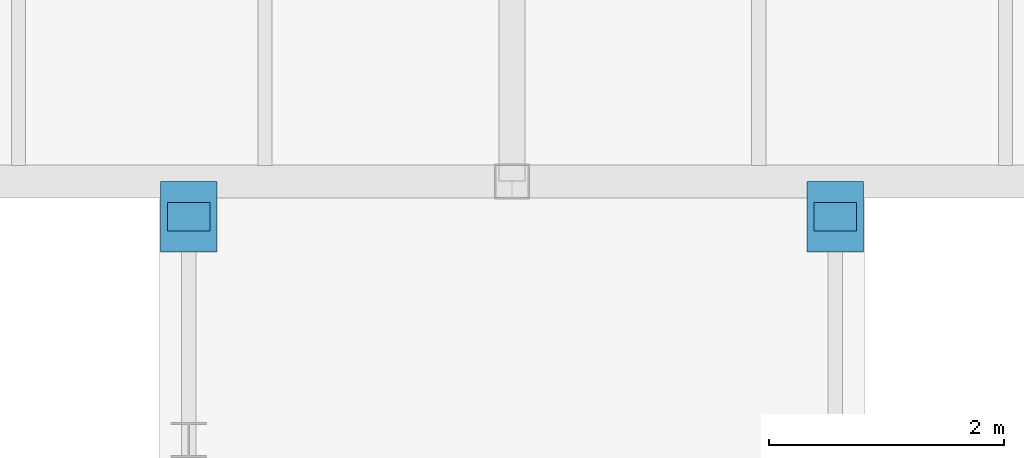
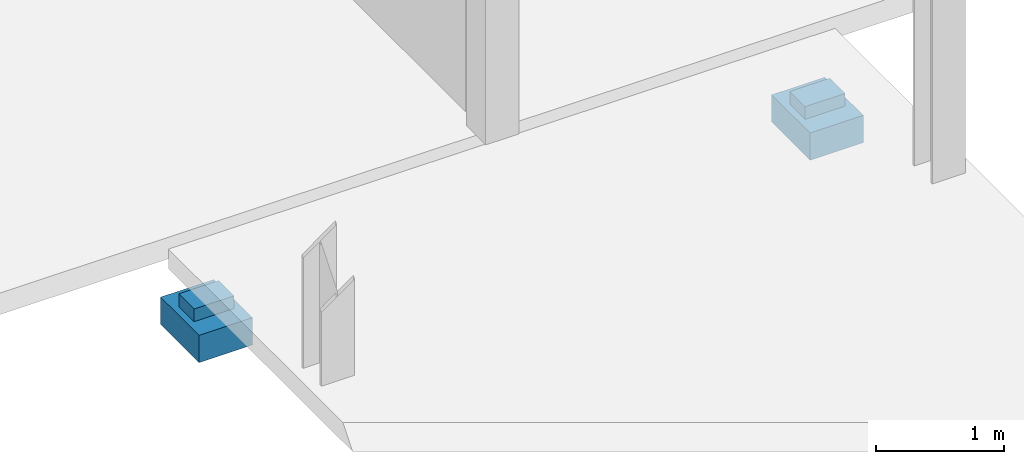
# One storey, part 149 of 165: 4 discrete accessories.
"""IFC4 building model written with IfcOpenShell, lengths in metres."""

from ifc_helpers import new_model, si_unit, direction, frame, origin, origin_2d, place, context, subcontext, project, spatial, rectangle, extrude, material, type_object, element, save


model = new_model("IFC4")

# Units and contexts
model_context = context("Model", 3, precision=1e-05, world=origin(), true_north=direction((0.0, 1.0)))
body_context = subcontext(model_context, "Body", "Model", "MODEL_VIEW")
ifc_project = project(units=[si_unit("LENGTHUNIT", "METRE"), si_unit("AREAUNIT", "SQUARE_METRE"), si_unit("VOLUMEUNIT", "CUBIC_METRE"), si_unit("PLANEANGLEUNIT", "RADIAN"), si_unit("MASSUNIT", "GRAM", prefix="KILO")], contexts=[model_context])

# Site, building, storey
site_placement = place(None, origin())
site = spatial("IfcSite", under=ifc_project, at=site_placement, CompositionType="ELEMENT")
building_placement = place(site_placement, origin())
building = spatial("IfcBuilding", under=site, at=building_placement, Name="Montecoro Central Library", CompositionType="ELEMENT")
storey_placement = place(building_placement, frame((0.0, 0.0, 5.10009765625)))
storey = spatial("IfcBuildingStorey", under=building, at=storey_placement, Name="L01", CompositionType="ELEMENT", Elevation=5.10009765625)

# Discrete accessories
ifc_material_1 = material(Name="Steel S355 and PTFE elastomer", Category="steel")
discrete_accessory_type_1 = type_object("IfcDiscreteAccessoryType", Name="BRG-SLIDE-02", PredefinedType="USERDEFINED", material=ifc_material_1)
for number, where, z_axis, x_axis, name in (
    (1, (88.85009765625, 80.699951171875, -0.545166015625), (0.0, 0.0, 1.0), (1.0, 0.0, 0.0), "BR-N-L01-BRG-WB"),
    (2, (94.35009765625, 80.699951171875, -0.545166015625), (0.0, 0.0, 1.0), (1.0, 0.0, 0.0), "BR-N-L01-BRG-EB"),
):
    element("IfcDiscreteAccessory", number, at=place(storey_placement, frame(where, z_axis=z_axis, x_axis=x_axis)), inside=storey, type_object=discrete_accessory_type_1, Name=name, ObjectType="FREE SLIDING BEARING", PredefinedType="USERDEFINED", context=body_context, shape_type="SweptSolid", body=[
        extrude(rectangle(XDim=0.360107421875, YDim=0.239990234375, at=origin_2d()), origin(), (0.0, 0.0, 1.0), 0.1201171875),
    ])
ifc_material_2 = material(Name="Steel S355", Category="steel")
discrete_accessory_type_2 = type_object("IfcDiscreteAccessoryType", Name="CORBEL-SEAT-600", PredefinedType="BRACKET", material=ifc_material_2)
for number, where, z_axis, x_axis, name in (
    (3, (88.85009765625, 80.699951171875, -0.80517578125), (0.0, 0.0, 1.0), (1.0, 0.0, 0.0), "BR-N-L01-SEAT-WB"),
    (4, (94.35009765625, 80.699951171875, -0.80517578125), (0.0, 0.0, 1.0), (1.0, 0.0, 0.0), "BR-N-L01-SEAT-EB"),
):
    element("IfcDiscreteAccessory", number, at=place(storey_placement, frame(where, z_axis=z_axis, x_axis=x_axis)), inside=storey, type_object=discrete_accessory_type_2, Name=name, PredefinedType="BRACKET", context=body_context, shape_type="SweptSolid", body=[
        extrude(rectangle(XDim=0.47998046875, YDim=0.60009765625, at=origin_2d()), origin(), (0.0, 0.0, 1.0), 0.260009765625),
    ])

save(model, "model.ifc")
